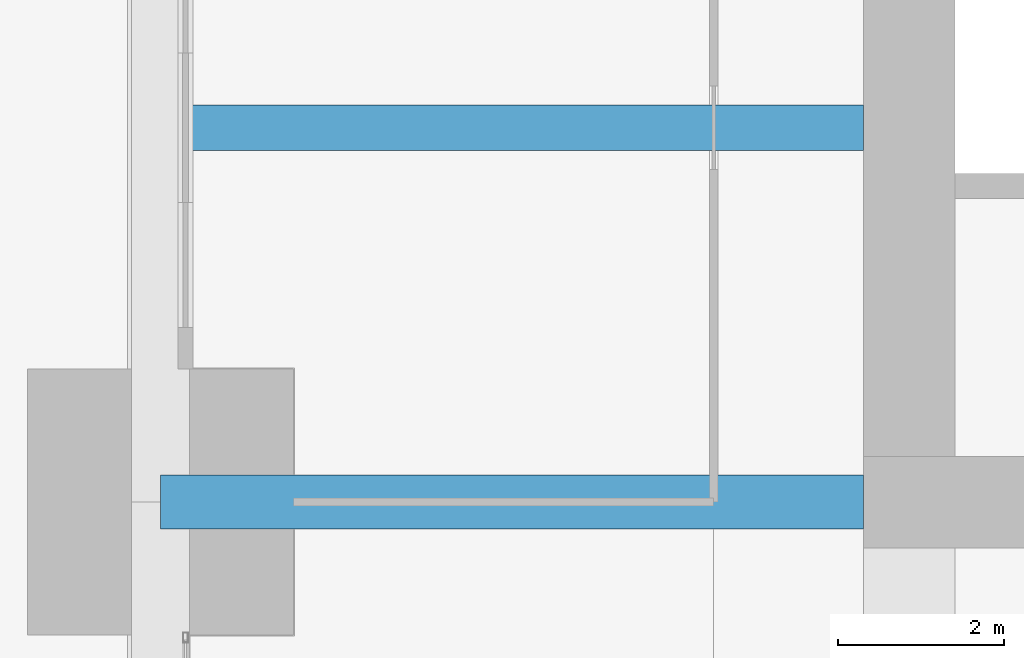
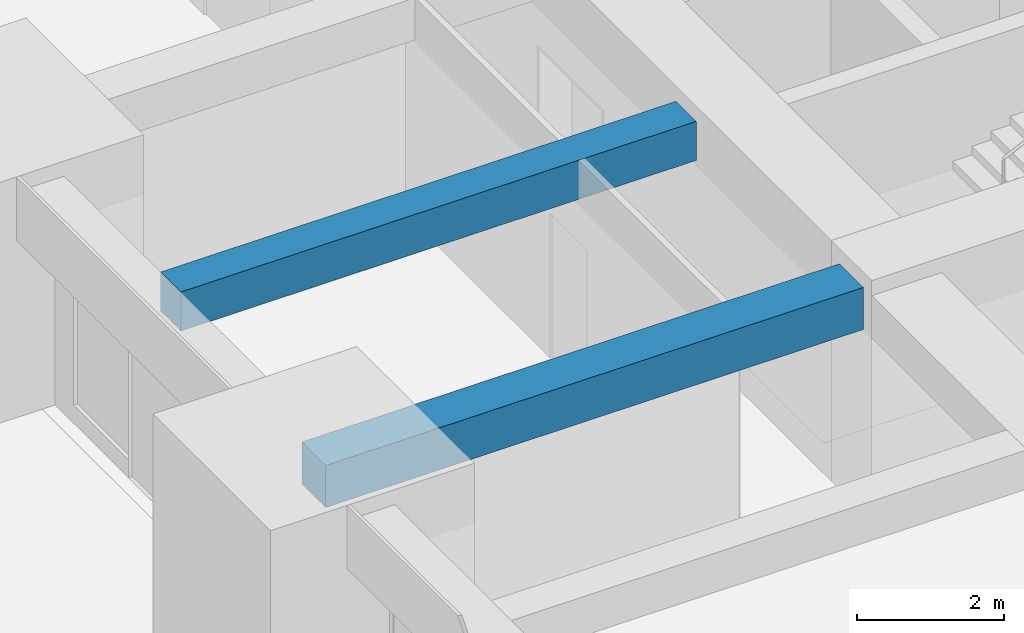
# One storey, part 12 of 40: 2 beams.
"""IFC4 building model written with IfcOpenShell, lengths in metres."""

from ifc_helpers import new_model, si_unit, direction, frame, origin, origin_2d, place, context, subcontext, project, spatial, rectangle, extrude, material, material_profile, profile_set, type_object, element, save


model = new_model("IFC4")

# Units and contexts
model_context = context("Model", 3, precision=1e-05, world=origin(), true_north=direction((0.0, 1.0)))
body_context = subcontext(model_context, "Body", "Model", "MODEL_VIEW")
ifc_project = project(units=[si_unit("LENGTHUNIT", "METRE"), si_unit("AREAUNIT", "SQUARE_METRE"), si_unit("VOLUMEUNIT", "CUBIC_METRE"), si_unit("PLANEANGLEUNIT", "RADIAN"), si_unit("MASSUNIT", "GRAM", prefix="KILO")], contexts=[model_context])

# Site, building, storey
site_placement = place(None, origin())
site = spatial("IfcSite", under=ifc_project, at=site_placement, CompositionType="ELEMENT")
building_placement = place(site_placement, origin())
building = spatial("IfcBuilding", under=site, at=building_placement, Name="Zorevar Civic Tower", CompositionType="ELEMENT")
storey_placement = place(building_placement, frame((0.0, 0.0, 239.39990234375)))
storey = spatial("IfcBuildingStorey", under=building, at=storey_placement, Name="L58", CompositionType="ELEMENT", Elevation=239.39990234375)

# Beams
ifc_material_1 = material(Name="Concrete C50/60", Category="concrete")
ifc_material_profile_1 = material_profile(ifc_material_1, rectangle(XDim=0.550048828125, YDim=0.64990234375, at=origin_2d()), Name="RC 550x650")
ifc_profile_set_1 = profile_set([ifc_material_profile_1], Name="Concrete C50/60")
beam_type_1 = type_object("IfcBeamType", Name="Beam RC 550x650", PredefinedType="BEAM", material=ifc_profile_set_1)
beam_1_placement = place(storey_placement, frame((9.35009765625, 22.5, 3.425048828125), z_axis=(1.0, 0.0, 0.0), x_axis=(0.0, 1.0, 0.0)))
element("IfcBeam", 1, at=beam_1_placement, inside=storey, type_object=beam_type_1, Name="Secondary beam L59", PredefinedType="BEAM", context=body_context, shape_type="SweptSolid", body=[
    extrude(rectangle(XDim=0.550048828125, YDim=0.64990234375, at=origin_2d()), origin(), (0.0, 0.0, 1.0), 8.099853515625),
])
ifc_material_2 = material(Name="Concrete C50/60", Category="concrete")
ifc_material_profile_2 = material_profile(ifc_material_2, rectangle(XDim=0.64990234375, YDim=0.699951171875, at=origin_2d()), Name="RC 650x700")
ifc_profile_set_2 = profile_set([ifc_material_profile_2], Name="Concrete C50/60")
beam_type_2 = type_object("IfcBeamType", Name="Beam RC 650x700", PredefinedType="BEAM", material=ifc_profile_set_2)
beam_2_placement = place(storey_placement, frame((9.0, 18.0, 3.400146484375), z_axis=(1.0, 0.0, 0.0), x_axis=(0.0, 1.0, 0.0)))
element("IfcBeam", 2, at=beam_2_placement, inside=storey, type_object=beam_type_2, Name="Girder L59", PredefinedType="BEAM", context=body_context, shape_type="SweptSolid", body=[
    extrude(rectangle(XDim=0.64990234375, YDim=0.699951171875, at=origin_2d()), origin(), (0.0, 0.0, 1.0), 8.449951171875),
])

save(model, "model.ifc")
